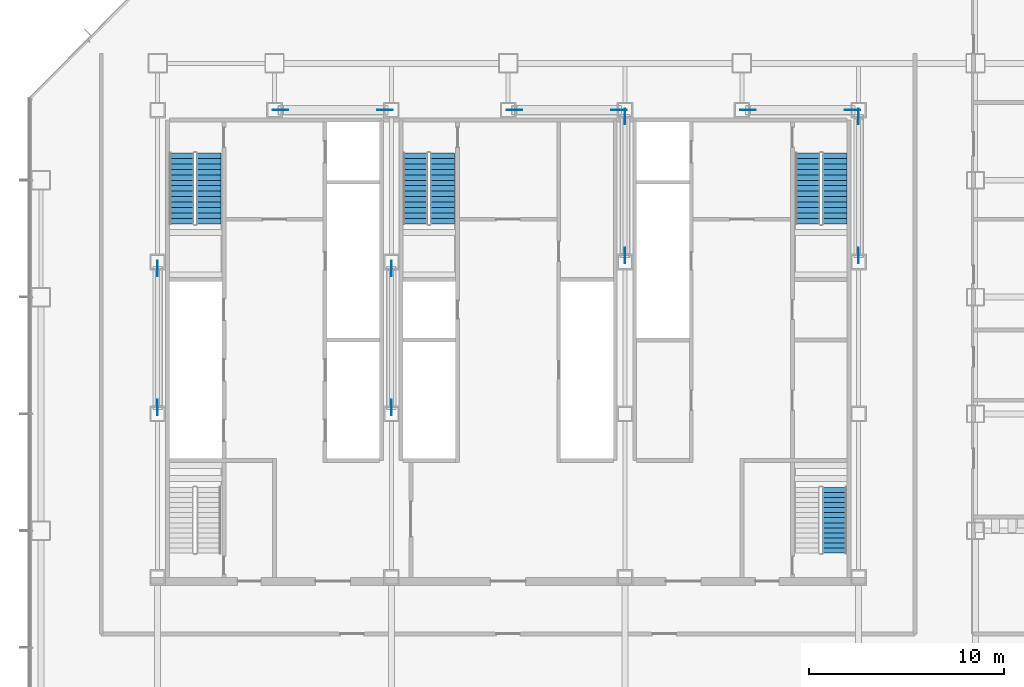
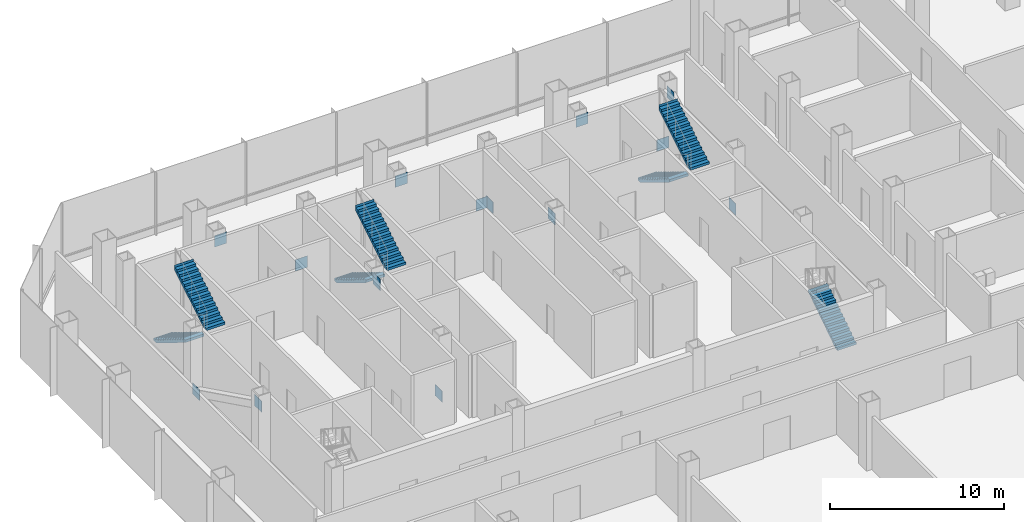
# One storey, part 26 of 33: 14 discrete accessories, 7 stair flights, 4 elements without a shape of their own.
"""IFC4 building model written with IfcOpenShell, lengths in metres."""

from ifc_helpers import new_model, si_unit, direction, frame, origin, origin_2d, place, context, subcontext, project, spatial, polyline, rectangle, outline, extrude, material, layer, layer_set, type_object, element, aggregate, save


model = new_model("IFC4")

# Units and contexts
model_context = context("Model", 3, precision=1e-05, world=origin(), true_north=direction((0.0, 1.0)))
body_context = subcontext(model_context, "Body", "Model", "MODEL_VIEW")
ifc_project = project(units=[si_unit("LENGTHUNIT", "METRE"), si_unit("AREAUNIT", "SQUARE_METRE"), si_unit("VOLUMEUNIT", "CUBIC_METRE"), si_unit("PLANEANGLEUNIT", "RADIAN"), si_unit("MASSUNIT", "GRAM", prefix="KILO")], contexts=[model_context])

# Site, building, storey
site_placement = place(None, origin())
site = spatial("IfcSite", under=ifc_project, at=site_placement, CompositionType="ELEMENT")
building_placement = place(site_placement, origin())
building = spatial("IfcBuilding", under=site, at=building_placement, Name="Sorahane Residences", CompositionType="ELEMENT")
storey_placement = place(building_placement, frame((0.0, 0.0, 25.199951171875)))
storey = spatial("IfcBuildingStorey", under=building, at=storey_placement, Name="L03", CompositionType="ELEMENT", Elevation=25.199951171875)

# Stair, stair flights
ifc_material_1 = material(Name="Concrete C40", Category="concrete")
stair_type = type_object("IfcStairType", Name="Dog-leg stair 1250 Concrete C40", PredefinedType="HALF_TURN_STAIR", material=ifc_material_1)
stair_1_placement = place(storey_placement, origin())
stair_1 = element("IfcStair", 1, at=stair_1_placement, inside=storey, type_object=stair_type, Name="L03 Stair S1", PredefinedType="HALF_TURN_STAIR")
ifc_material_2 = material(Name="Concrete C40", Category="concrete")
stair_flight_type = type_object("IfcStairFlightType", Name="Stair flight 1250 Concrete C40", PredefinedType="STRAIGHT", material=ifc_material_2)
stair_flight_1_placement = place(storey_placement, frame((7.22509765625, 43.39990234375, 0.0), z_axis=(0.0, 0.0, 1.0), x_axis=(0.0, -1.0, 0.0)))
stair_flight_1 = element("IfcStairFlight", 2, at=stair_flight_1_placement, type_object=stair_flight_type, Name="S1 flight 1", NumberOfRisers=14, NumberOfTreads=13, PredefinedType="STRAIGHT", RiserHeight=0.171428571, TreadLength=0.28, context=body_context, shape_type="SweptSolid", body=[
    extrude(outline(polyline([(-0.00146484375, 0.0), (-0.00146484375, 0.17138671875), (0.0, 0.17138671875), (0.280029296875, 0.17138671875), (0.280029296875, 0.3427734375), (0.56005859375, 0.3427734375), (0.56005859375, 0.514404296875), (0.840087890625, 0.514404296875), (0.840087890625, 0.685791015625), (1.1201171875, 0.685791015625), (1.1201171875, 0.857177734375), (1.39990234375, 0.857177734375), (1.39990234375, 1.028564453125), (1.679931640625, 1.028564453125), (1.679931640625, 1.199951171875), (1.9599609375, 1.199951171875), (1.9599609375, 1.371337890625), (2.239990234375, 1.371337890625), (2.239990234375, 1.54296875), (2.52001953125, 1.54296875), (2.52001953125, 1.71435546875), (2.800048828125, 1.71435546875), (2.800048828125, 1.8857421875), (3.080078125, 1.8857421875), (3.080078125, 2.05712890625), (3.360107421875, 2.05712890625), (3.360107421875, 2.228515625), (3.639892578125, 2.228515625), (3.639892578125, 2.39990234375), (3.639892578125, 2.052734375), (3.41650390625, 1.916015625), (3.19287109375, 1.779052734375), (2.969482421875, 1.642333984375), (2.745849609375, 1.50537109375), (2.5224609375, 1.36865234375), (2.298828125, 1.231689453125), (2.0751953125, 1.0947265625), (1.851806640625, 0.9580078125), (1.628173828125, 0.821044921875), (1.40478515625, 0.684326171875), (1.18115234375, 0.54736328125), (0.957763671875, 0.41064453125), (0.734130859375, 0.273681640625), (0.510498046875, 0.136962890625), (0.287109375, 0.0), (-0.00146484375, 0.0)])), frame((0.0, 0.625, 0.0), z_axis=(0.0, -1.0, 0.0), x_axis=(1.0, 0.0, 0.0)), (0.0, 0.0, 1.0), 1.25),
])
stair_flight_2_placement = place(storey_placement, frame((8.625, 39.760009765625, 2.400146484375), z_axis=(0.0, 0.0, 1.0), x_axis=(0.0, 1.0, 0.0)))
stair_flight_2 = element("IfcStairFlight", 3, at=stair_flight_2_placement, type_object=stair_flight_type, Name="S1 flight 2", NumberOfRisers=14, NumberOfTreads=13, PredefinedType="STRAIGHT", RiserHeight=0.171428571, TreadLength=0.28, context=body_context, shape_type="SweptSolid", body=[
    extrude(outline(polyline([(0.0, 0.0), (0.0, 0.17138671875), (0.280029296875, 0.17138671875), (0.280029296875, 0.3427734375), (0.56005859375, 0.3427734375), (0.56005859375, 0.514404296875), (0.840087890625, 0.514404296875), (0.840087890625, 0.685791015625), (1.1201171875, 0.685791015625), (1.1201171875, 0.857177734375), (1.39990234375, 0.857177734375), (1.39990234375, 1.028564453125), (1.679931640625, 1.028564453125), (1.679931640625, 1.199951171875), (1.9599609375, 1.199951171875), (1.9599609375, 1.371337890625), (2.239990234375, 1.371337890625), (2.239990234375, 1.54296875), (2.52001953125, 1.54296875), (2.52001953125, 1.71435546875), (2.800048828125, 1.71435546875), (2.800048828125, 1.8857421875), (3.080078125, 1.8857421875), (3.080078125, 2.05712890625), (3.360107421875, 2.05712890625), (3.360107421875, 2.228515625), (3.639892578125, 2.228515625), (3.639892578125, 2.39990234375), (3.6416015625, 2.39990234375), (3.6416015625, 2.052734375), (3.41796875, 1.916015625), (3.1943359375, 1.779052734375), (2.970703125, 1.642333984375), (2.7470703125, 1.50537109375), (2.5234375, 1.36865234375), (2.2998046875, 1.231689453125), (2.076171875, 1.0947265625), (1.8525390625, 0.9580078125), (1.62890625, 0.821044921875), (1.4052734375, 0.684326171875), (1.181640625, 0.54736328125), (0.9580078125, 0.41064453125), (0.734375, 0.273681640625), (0.5107421875, 0.136962890625), (0.287109375, 0.0), (0.0, 0.0)])), frame((0.0, 0.625, 0.0), z_axis=(0.0, -1.0, 0.0), x_axis=(1.0, 0.0, 0.0)), (0.0, 0.0, 1.0), 1.25),
])
aggregate(stair_1, [stair_flight_1, stair_flight_2])

stair_2_placement = place(storey_placement, origin())
stair_2 = element("IfcStair", 4, at=stair_2_placement, inside=storey, type_object=stair_type, Name="L03 Stair S2", PredefinedType="HALF_TURN_STAIR")
stair_flight_3_placement = place(storey_placement, frame((39.375, 43.39990234375, 0.0), z_axis=(0.0, 0.0, 1.0), x_axis=(0.0, -1.0, 0.0)))
stair_flight_3 = element("IfcStairFlight", 5, at=stair_flight_3_placement, type_object=stair_flight_type, Name="S2 flight 1", NumberOfRisers=14, NumberOfTreads=13, PredefinedType="STRAIGHT", RiserHeight=0.171428571, TreadLength=0.28, context=body_context, shape_type="SweptSolid", body=[
    extrude(outline(polyline([(-0.00146484375, 0.0), (-0.00146484375, 0.17138671875), (0.0, 0.17138671875), (0.280029296875, 0.17138671875), (0.280029296875, 0.3427734375), (0.56005859375, 0.3427734375), (0.56005859375, 0.514404296875), (0.840087890625, 0.514404296875), (0.840087890625, 0.685791015625), (1.1201171875, 0.685791015625), (1.1201171875, 0.857177734375), (1.39990234375, 0.857177734375), (1.39990234375, 1.028564453125), (1.679931640625, 1.028564453125), (1.679931640625, 1.199951171875), (1.9599609375, 1.199951171875), (1.9599609375, 1.371337890625), (2.239990234375, 1.371337890625), (2.239990234375, 1.54296875), (2.52001953125, 1.54296875), (2.52001953125, 1.71435546875), (2.800048828125, 1.71435546875), (2.800048828125, 1.8857421875), (3.080078125, 1.8857421875), (3.080078125, 2.05712890625), (3.360107421875, 2.05712890625), (3.360107421875, 2.228515625), (3.639892578125, 2.228515625), (3.639892578125, 2.39990234375), (3.639892578125, 2.052734375), (3.41650390625, 1.916015625), (3.19287109375, 1.779052734375), (2.969482421875, 1.642333984375), (2.745849609375, 1.50537109375), (2.5224609375, 1.36865234375), (2.298828125, 1.231689453125), (2.0751953125, 1.0947265625), (1.851806640625, 0.9580078125), (1.628173828125, 0.821044921875), (1.40478515625, 0.684326171875), (1.18115234375, 0.54736328125), (0.957763671875, 0.41064453125), (0.734130859375, 0.273681640625), (0.510498046875, 0.136962890625), (0.287109375, 0.0), (-0.00146484375, 0.0)])), frame((0.0, 0.625, 0.0), z_axis=(0.0, -1.0, 0.0), x_axis=(1.0, 0.0, 0.0)), (0.0, 0.0, 1.0), 1.25),
])
stair_flight_4_placement = place(storey_placement, frame((40.77490234375, 39.760009765625, 2.400146484375), z_axis=(0.0, 0.0, 1.0), x_axis=(0.0, 1.0, 0.0)))
stair_flight_4 = element("IfcStairFlight", 6, at=stair_flight_4_placement, type_object=stair_flight_type, Name="S2 flight 2", NumberOfRisers=14, NumberOfTreads=13, PredefinedType="STRAIGHT", RiserHeight=0.171428571, TreadLength=0.28, context=body_context, shape_type="SweptSolid", body=[
    extrude(outline(polyline([(0.0, 0.0), (0.0, 0.17138671875), (0.280029296875, 0.17138671875), (0.280029296875, 0.3427734375), (0.56005859375, 0.3427734375), (0.56005859375, 0.514404296875), (0.840087890625, 0.514404296875), (0.840087890625, 0.685791015625), (1.1201171875, 0.685791015625), (1.1201171875, 0.857177734375), (1.39990234375, 0.857177734375), (1.39990234375, 1.028564453125), (1.679931640625, 1.028564453125), (1.679931640625, 1.199951171875), (1.9599609375, 1.199951171875), (1.9599609375, 1.371337890625), (2.239990234375, 1.371337890625), (2.239990234375, 1.54296875), (2.52001953125, 1.54296875), (2.52001953125, 1.71435546875), (2.800048828125, 1.71435546875), (2.800048828125, 1.8857421875), (3.080078125, 1.8857421875), (3.080078125, 2.05712890625), (3.360107421875, 2.05712890625), (3.360107421875, 2.228515625), (3.639892578125, 2.228515625), (3.639892578125, 2.39990234375), (3.6416015625, 2.39990234375), (3.6416015625, 2.052734375), (3.41796875, 1.916015625), (3.1943359375, 1.779052734375), (2.970703125, 1.642333984375), (2.7470703125, 1.50537109375), (2.5234375, 1.36865234375), (2.2998046875, 1.231689453125), (2.076171875, 1.0947265625), (1.8525390625, 0.9580078125), (1.62890625, 0.821044921875), (1.4052734375, 0.684326171875), (1.181640625, 0.54736328125), (0.9580078125, 0.41064453125), (0.734375, 0.273681640625), (0.5107421875, 0.136962890625), (0.287109375, 0.0), (0.0, 0.0)])), frame((0.0, 0.625, 0.0), z_axis=(0.0, -1.0, 0.0), x_axis=(1.0, 0.0, 0.0)), (0.0, 0.0, 1.0), 1.25),
])
aggregate(stair_2, [stair_flight_3, stair_flight_4])

stair_3_placement = place(storey_placement, origin())
stair_3 = element("IfcStair", 7, at=stair_3_placement, inside=storey, type_object=stair_type, Name="L03 Stair S3", PredefinedType="HALF_TURN_STAIR")
stair_flight_5_placement = place(storey_placement, frame((19.22509765625, 43.39990234375, 0.0), z_axis=(0.0, 0.0, 1.0), x_axis=(0.0, -1.0, 0.0)))
stair_flight_5 = element("IfcStairFlight", 8, at=stair_flight_5_placement, type_object=stair_flight_type, Name="S3 flight 1", NumberOfRisers=14, NumberOfTreads=13, PredefinedType="STRAIGHT", RiserHeight=0.171428571, TreadLength=0.28, context=body_context, shape_type="SweptSolid", body=[
    extrude(outline(polyline([(-0.00146484375, 0.0), (-0.00146484375, 0.17138671875), (0.0, 0.17138671875), (0.280029296875, 0.17138671875), (0.280029296875, 0.3427734375), (0.56005859375, 0.3427734375), (0.56005859375, 0.514404296875), (0.840087890625, 0.514404296875), (0.840087890625, 0.685791015625), (1.1201171875, 0.685791015625), (1.1201171875, 0.857177734375), (1.39990234375, 0.857177734375), (1.39990234375, 1.028564453125), (1.679931640625, 1.028564453125), (1.679931640625, 1.199951171875), (1.9599609375, 1.199951171875), (1.9599609375, 1.371337890625), (2.239990234375, 1.371337890625), (2.239990234375, 1.54296875), (2.52001953125, 1.54296875), (2.52001953125, 1.71435546875), (2.800048828125, 1.71435546875), (2.800048828125, 1.8857421875), (3.080078125, 1.8857421875), (3.080078125, 2.05712890625), (3.360107421875, 2.05712890625), (3.360107421875, 2.228515625), (3.639892578125, 2.228515625), (3.639892578125, 2.39990234375), (3.639892578125, 2.052734375), (3.41650390625, 1.916015625), (3.19287109375, 1.779052734375), (2.969482421875, 1.642333984375), (2.745849609375, 1.50537109375), (2.5224609375, 1.36865234375), (2.298828125, 1.231689453125), (2.0751953125, 1.0947265625), (1.851806640625, 0.9580078125), (1.628173828125, 0.821044921875), (1.40478515625, 0.684326171875), (1.18115234375, 0.54736328125), (0.957763671875, 0.41064453125), (0.734130859375, 0.273681640625), (0.510498046875, 0.136962890625), (0.287109375, 0.0), (-0.00146484375, 0.0)])), frame((0.0, 0.625, 0.0), z_axis=(0.0, -1.0, 0.0), x_axis=(1.0, 0.0, 0.0)), (0.0, 0.0, 1.0), 1.25),
])
stair_flight_6_placement = place(storey_placement, frame((20.625, 39.760009765625, 2.400146484375), z_axis=(0.0, 0.0, 1.0), x_axis=(0.0, 1.0, 0.0)))
stair_flight_6 = element("IfcStairFlight", 9, at=stair_flight_6_placement, type_object=stair_flight_type, Name="S3 flight 2", NumberOfRisers=14, NumberOfTreads=13, PredefinedType="STRAIGHT", RiserHeight=0.171428571, TreadLength=0.28, context=body_context, shape_type="SweptSolid", body=[
    extrude(outline(polyline([(0.0, 0.0), (0.0, 0.17138671875), (0.280029296875, 0.17138671875), (0.280029296875, 0.3427734375), (0.56005859375, 0.3427734375), (0.56005859375, 0.514404296875), (0.840087890625, 0.514404296875), (0.840087890625, 0.685791015625), (1.1201171875, 0.685791015625), (1.1201171875, 0.857177734375), (1.39990234375, 0.857177734375), (1.39990234375, 1.028564453125), (1.679931640625, 1.028564453125), (1.679931640625, 1.199951171875), (1.9599609375, 1.199951171875), (1.9599609375, 1.371337890625), (2.239990234375, 1.371337890625), (2.239990234375, 1.54296875), (2.52001953125, 1.54296875), (2.52001953125, 1.71435546875), (2.800048828125, 1.71435546875), (2.800048828125, 1.8857421875), (3.080078125, 1.8857421875), (3.080078125, 2.05712890625), (3.360107421875, 2.05712890625), (3.360107421875, 2.228515625), (3.639892578125, 2.228515625), (3.639892578125, 2.39990234375), (3.6416015625, 2.39990234375), (3.6416015625, 2.052734375), (3.41796875, 1.916015625), (3.1943359375, 1.779052734375), (2.970703125, 1.642333984375), (2.7470703125, 1.50537109375), (2.5234375, 1.36865234375), (2.2998046875, 1.231689453125), (2.076171875, 1.0947265625), (1.8525390625, 0.9580078125), (1.62890625, 0.821044921875), (1.4052734375, 0.684326171875), (1.181640625, 0.54736328125), (0.9580078125, 0.41064453125), (0.734375, 0.273681640625), (0.5107421875, 0.136962890625), (0.287109375, 0.0), (0.0, 0.0)])), frame((0.0, 0.625, 0.0), z_axis=(0.0, -1.0, 0.0), x_axis=(1.0, 0.0, 0.0)), (0.0, 0.0, 1.0), 1.25),
])
aggregate(stair_3, [stair_flight_5, stair_flight_6])

# Stair, stair flight
stair_4_placement = place(storey_placement, origin())
stair_4 = element("IfcStair", 10, at=stair_4_placement, inside=storey, type_object=stair_type, Name="L03 Stair S5", PredefinedType="HALF_TURN_STAIR")
stair_flight_7_placement = place(storey_placement, frame((40.77490234375, 22.85009765625, 0.0), z_axis=(0.0, 0.0, 1.0), x_axis=(0.0, 1.0, 0.0)))
stair_flight_7 = element("IfcStairFlight", 11, at=stair_flight_7_placement, type_object=stair_flight_type, Name="S5 flight 1", NumberOfRisers=14, NumberOfTreads=13, PredefinedType="STRAIGHT", RiserHeight=0.171428571, TreadLength=0.26, context=body_context, shape_type="SweptSolid", body=[
    extrude(outline(polyline([(-0.00146484375, 0.0), (-0.00146484375, 0.17138671875), (0.0, 0.17138671875), (0.260009765625, 0.17138671875), (0.260009765625, 0.3427734375), (0.52001953125, 0.3427734375), (0.52001953125, 0.514404296875), (0.780029296875, 0.514404296875), (0.780029296875, 0.685791015625), (1.0400390625, 0.685791015625), (1.0400390625, 0.857177734375), (1.300048828125, 0.857177734375), (1.300048828125, 1.028564453125), (1.56005859375, 1.028564453125), (1.56005859375, 1.199951171875), (1.820068359375, 1.199951171875), (1.820068359375, 1.371337890625), (2.080078125, 1.371337890625), (2.080078125, 1.54296875), (2.340087890625, 1.54296875), (2.340087890625, 1.71435546875), (2.60009765625, 1.71435546875), (2.60009765625, 1.8857421875), (2.860107421875, 1.8857421875), (2.860107421875, 2.05712890625), (3.1201171875, 2.05712890625), (3.1201171875, 2.228515625), (3.3798828125, 2.228515625), (3.3798828125, 2.39990234375), (3.3798828125, 2.084716796875), (3.169189453125, 1.94580078125), (2.95849609375, 1.806640625), (2.74755859375, 1.667724609375), (2.536865234375, 1.52880859375), (2.326171875, 1.389892578125), (2.115234375, 1.250732421875), (1.904541015625, 1.11181640625), (1.693603515625, 0.972900390625), (1.48291015625, 0.833984375), (1.272216796875, 0.69482421875), (1.061279296875, 0.555908203125), (0.8505859375, 0.4169921875), (0.639892578125, 0.278076171875), (0.428955078125, 0.138916015625), (0.21826171875, 0.0), (-0.00146484375, 0.0)])), frame((0.0, 0.625, 0.0), z_axis=(0.0, -1.0, 0.0), x_axis=(1.0, 0.0, 0.0)), (0.0, 0.0, 1.0), 1.25),
])
aggregate(stair_4, [stair_flight_7])

# Discrete accessories
ifc_material_3 = material(Name="Steel Q355B", Category="steel")
ifc_layer = layer(ifc_material_3, 0.02490234375)
ifc_layer_set = layer_set([ifc_layer], Name="Node plate Steel Q355B 25")
discrete_accessory_type = type_object("IfcDiscreteAccessoryType", Name="Node plate Steel Q355B 25", PredefinedType="BRACKET", material=ifc_layer_set)
for number, where, z_axis, x_axis, name in (
    (12, (6.0, 37.46630859375, -0.1826171875), (0.0, 0.0, 1.0), (0.0, 1.0, 0.0), "Node plate L03 br"),
    (13, (6.0, 30.333740234375, 3.33251953125), (0.0, 0.0, 1.0), (0.0, 1.0, 0.0), "Node plate L03 br"),
    (14, (18.0, 30.333740234375, -0.1826171875), (0.0, 0.0, 1.0), (0.0, 1.0, 0.0), "Node plate L03 br"),
    (15, (18.0, 37.46630859375, 3.33251953125), (0.0, 0.0, 1.0), (0.0, 1.0, 0.0), "Node plate L03 br"),
    (16, (30.0, 45.266357421875, -0.1826171875), (0.0, 0.0, 1.0), (0.0, 1.0, 0.0), "Node plate L03 br"),
    (17, (30.0, 38.1337890625, 3.33251953125), (0.0, 0.0, 1.0), (0.0, 1.0, 0.0), "Node plate L03 br"),
    (18, (42.0, 38.1337890625, -0.1826171875), (0.0, 0.0, 1.0), (0.0, 1.0, 0.0), "Node plate L03 br"),
    (19, (42.0, 45.266357421875, 3.33251953125), (0.0, 0.0, 1.0), (0.0, 1.0, 0.0), "Node plate L03 br"),
    (20, (17.682861328125, 45.60009765625, -0.205078125), (0.0, 0.0, 1.0), (1.0, 0.0, 0.0), "Node plate L03 br"),
    (21, (29.682861328125, 45.60009765625, -0.205078125), (0.0, 0.0, 1.0), (1.0, 0.0, 0.0), "Node plate L03 br"),
    (22, (41.682861328125, 45.60009765625, -0.205078125), (0.0, 0.0, 1.0), (1.0, 0.0, 0.0), "Node plate L03 br"),
    (23, (12.317138671875, 45.60009765625, 3.35498046875), (0.0, 0.0, 1.0), (1.0, 0.0, 0.0), "Node plate L03 br"),
    (24, (24.317138671875, 45.60009765625, 3.35498046875), (0.0, 0.0, 1.0), (1.0, 0.0, 0.0), "Node plate L03 br"),
    (25, (36.317138671875, 45.60009765625, 3.35498046875), (0.0, 0.0, 1.0), (1.0, 0.0, 0.0), "Node plate L03 br"),
):
    element("IfcDiscreteAccessory", number, at=place(storey_placement, frame(where, z_axis=z_axis, x_axis=x_axis)), inside=storey, type_object=discrete_accessory_type, Name=name, PredefinedType="BRACKET", context=body_context, shape_type="SweptSolid", body=[
        extrude(rectangle(XDim=0.800048828125, YDim=0.02490234375, at=origin_2d()), origin(), (0.0, 0.0, 1.0), 0.800048828125),
    ])

save(model, "model.ifc")
